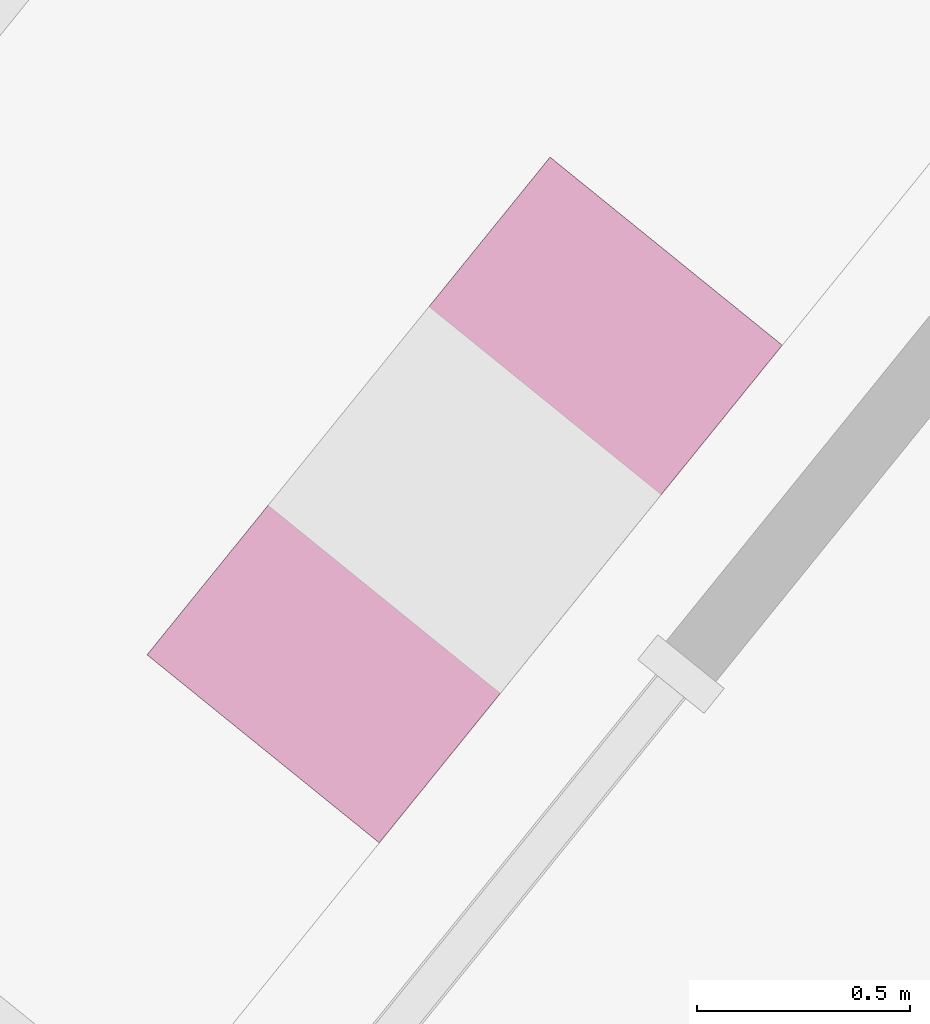
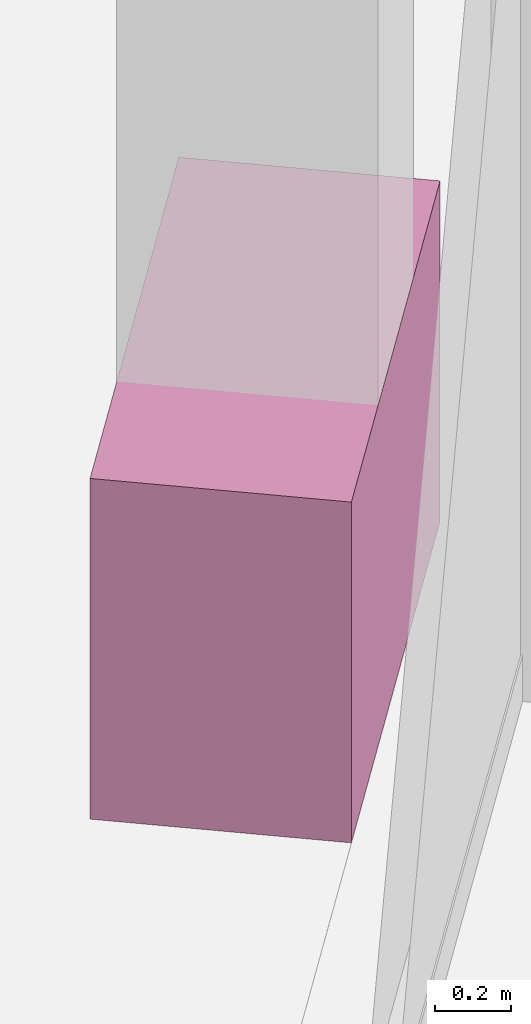
# One storey, part 22 of 23: 1 furniture element.
"""IFC4 building model written with IfcOpenShell, lengths in metres."""

from ifc_helpers import new_model, si_unit, direction, frame, origin, origin_2d, place, context, subcontext, project, spatial, rectangle, extrude, source, transform, mapped, material, type_object, element, save


model = new_model("IFC4")

# Units and contexts
model_context = context("Model", 3, precision=1e-05, world=origin(), true_north=direction((0.0, 1.0)))
body_context = subcontext(model_context, "Body", "Model", "MODEL_VIEW")
ifc_project = project(units=[si_unit("LENGTHUNIT", "METRE"), si_unit("AREAUNIT", "SQUARE_METRE"), si_unit("VOLUMEUNIT", "CUBIC_METRE"), si_unit("PLANEANGLEUNIT", "RADIAN"), si_unit("MASSUNIT", "GRAM", prefix="KILO")], contexts=[model_context])

# Site, building, storey
site_placement = place(None, origin())
site = spatial("IfcSite", under=ifc_project, at=site_placement, CompositionType="ELEMENT")
building_placement = place(site_placement, origin())
building = spatial("IfcBuilding", under=site, at=building_placement, Name="Triune Harvest Tower", CompositionType="ELEMENT")
storey_placement = place(building_placement, frame((0.0, 0.0, 167.699951171875)))
storey = spatial("IfcBuildingStorey", under=building, at=storey_placement, Name="L43", CompositionType="ELEMENT", Elevation=167.699951171875)

# Furniture
ifc_material = material(Name="Concrete 40 MPa", Category="concrete")
furniture_type = type_object("IfcFurnitureType", Name="PB-1 structural planter", AssemblyPlace="SITE", PredefinedType="USERDEFINED", material=ifc_material)
shared_shape = source(origin(), body_context, "Body", "SweptSolid", [
    extrude(rectangle(XDim=1.5, YDim=0.699951171875, at=origin_2d()), origin(), (0.0, 0.0, 1.0), 1.10009765625),
])
furniture_placement = place(storey_placement, frame((-11.809814453125, 20.375732421875, 0.0), z_axis=(0.0, 0.0, 1.0), x_axis=(-0.629321459087, -0.777145096577, 0.0)))
element("IfcFurniture", 1, at=furniture_placement, inside=storey, type_object=furniture_type, Name="Planter B4-F3 L43.4b", ObjectType="PLANTER", PredefinedType="USERDEFINED", context=body_context, shape_type="MappedRepresentation", body=[
    mapped(shared_shape, transform((0.0, 0.0, 0.0), scale=1.0)),
])

save(model, "model.ifc")
